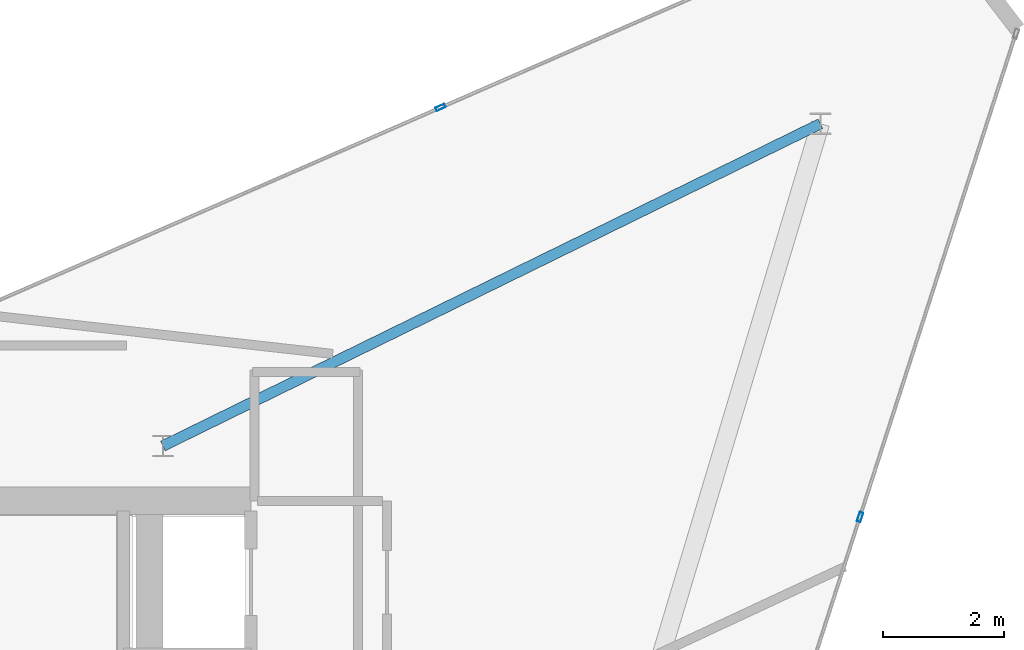
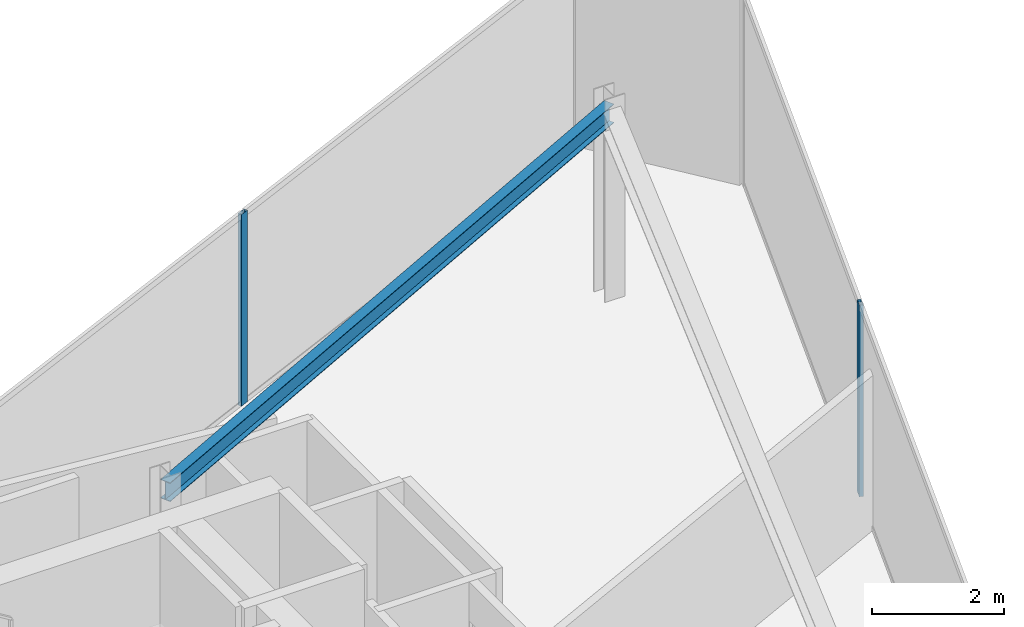
# One storey, part 11 of 15: 2 members, 1 beam, 2 elements without a shape of their own.
"""IFC4 building model written with IfcOpenShell, lengths in metres."""

import ifcopenshell
import ifcopenshell.guid

model = None  # the IFC model being written
_history = None  # IfcOwnerHistory: only IFC2X3 demands one
_inside = {}  # id of a spatial element -> (the spatial element, [elements in it])
_under = {}  # id of a project, library or spatial element -> (it, [spatial elements below it])
_declared = {}  # id of a project -> (the project, [libraries it declares])
_typed = {}  # id of a type object -> (the type object, [elements of that type])
_made_of = {}  # id of a material, layer set ... -> (it, [elements and type objects made of it])


def new_model(schema):
    """Start an empty IFC model of exactly this schema.

    Asked for "IFC4X3", IfcOpenShell would pick the latest addendum, in which some entities
    have other attributes; the version numbers below select the first issue.
    IFC2X3 requires an IfcOwnerHistory on every rooted entity: one is made here for all.
    """
    global model, _history
    if schema == "IFC4X3":
        model = ifcopenshell.file(schema_version=(4, 3, 0, 0))
    else:
        model = ifcopenshell.file(schema=schema)
    _inside.clear()
    _under.clear()
    _declared.clear()
    _typed.clear()
    _made_of.clear()
    _history = None
    if model.schema == "IFC2X3":
        org = make("IfcOrganization", Name="unknown")
        user = make(
            "IfcPersonAndOrganization",
            ThePerson=make("IfcPerson", FamilyName="unknown"),
            TheOrganization=org,
        )
        app = make(
            "IfcApplication",
            ApplicationDeveloper=org,
            Version="unknown",
            ApplicationFullName="unknown",
            ApplicationIdentifier="unknown",
        )
        _history = make(
            "IfcOwnerHistory",
            OwningUser=user,
            OwningApplication=app,
            ChangeAction="ADDED",
            CreationDate=0,
        )
    return model


def make(cls, **values):
    """One entity of the class cls with the attributes given. An attribute that is None is left unset."""
    return model.create_entity(
        cls, **{name: value for name, value in values.items() if value is not None}
    )


def rooted(cls, **values):
    """An entity with a GlobalId (a new one), such as an element, a storey or a relation."""
    return make(cls, GlobalId=ifcopenshell.guid.new(), OwnerHistory=_history, **values)


def si_unit(unit_type, name, prefix=None):
    """IfcSIUnit, for example si_unit("LENGTHUNIT", "METRE", prefix="MILLI")."""
    return make("IfcSIUnit", UnitType=unit_type, Prefix=prefix, Name=name)


def assignment(units):
    """IfcUnitAssignment: the units of a project."""
    return None if units is None else make("IfcUnitAssignment", Units=units)


def point(xyz):
    """IfcCartesianPoint."""
    return None if xyz is None else make("IfcCartesianPoint", Coordinates=xyz)


def direction(xyz):
    """IfcDirection."""
    return None if xyz is None else make("IfcDirection", DirectionRatios=xyz)


def frame(location, z_axis=None, x_axis=None):
    """IfcAxis2Placement3D, a coordinate frame: its origin and axes. An axis left out is left unset."""
    return make(
        "IfcAxis2Placement3D",
        Location=point(location),
        Axis=direction(z_axis),
        RefDirection=direction(x_axis),
    )


def frame_2d(location, x_axis=None):
    """IfcAxis2Placement2D, a coordinate frame in the plane: its origin and x axis."""
    return make(
        "IfcAxis2Placement2D", Location=point(location), RefDirection=direction(x_axis)
    )


def origin():
    """The frame at (0, 0, 0) with its axes left unset."""
    return frame((0.0, 0.0, 0.0))


def origin_2d():
    """The frame at (0, 0) in the plane with its x axis left unset."""
    return frame_2d((0.0, 0.0))


def place(relative_to, where):
    """IfcLocalPlacement: puts the frame where relative to a parent placement (None: the world)."""
    return make(
        "IfcLocalPlacement", PlacementRelTo=relative_to, RelativePlacement=where
    )


def context(
    kind, dimensions, precision=None, world=None, true_north=None, identifier=None
):
    """IfcGeometricRepresentationContext, for example the 3D "Model" context."""
    return make(
        "IfcGeometricRepresentationContext",
        ContextIdentifier=identifier,
        ContextType=kind,
        CoordinateSpaceDimension=dimensions,
        Precision=precision,
        WorldCoordinateSystem=world,
        TrueNorth=true_north,
    )


def subcontext(parent, identifier, kind, view, scale=None):
    """IfcGeometricRepresentationSubContext, for example "Body" below "Model"."""
    return make(
        "IfcGeometricRepresentationSubContext",
        ContextIdentifier=identifier,
        ContextType=kind,
        ParentContext=parent,
        TargetScale=scale,
        TargetView=view,
    )


def project(units=None, contexts=None):
    """IfcProject with its units and contexts."""
    return rooted(
        "IfcProject",
        Name="project",
        RepresentationContexts=contexts,
        UnitsInContext=assignment(units),
    )


def spatial(cls, under=None, at=None, **own):
    """A site, building, storey or space (cls), placed at a placement, below another one or the project."""
    s = rooted(cls, ObjectPlacement=at, **own)
    if under is not None:
        _under.setdefault(under.id(), (under, []))[1].append(s)
    return s


def profile(cls, at=None, kind="AREA", **sizes):
    """A parametric profile (cls). Its sizes go by their IFC names, for example OverallWidth=200.0."""
    return make(cls, ProfileType=kind, Position=at, **sizes)


def hollow_rectangle(**sizes):
    """IfcRectangleHollowProfileDef."""
    return profile("IfcRectangleHollowProfileDef", **sizes)


def i_section(**sizes):
    """IfcIShapeProfileDef."""
    return profile("IfcIShapeProfileDef", **sizes)


def extrude(swept, where, along, depth):
    """IfcExtrudedAreaSolid: the profile swept, set in the frame where, extruded along a direction by depth."""
    return make(
        "IfcExtrudedAreaSolid",
        SweptArea=swept,
        Position=where,
        ExtrudedDirection=direction(along),
        Depth=depth,
    )


def shape(context_of_items, identifier, shape_type, items):
    """IfcShapeRepresentation: the items that make up one representation, for example the "Body"."""
    return make(
        "IfcShapeRepresentation",
        ContextOfItems=context_of_items,
        RepresentationIdentifier=identifier,
        RepresentationType=shape_type,
        Items=items,
    )


def material(Name=None, Category=None):
    """IfcMaterial."""
    return make("IfcMaterial", Name=Name, Category=Category)


def layer(
    of_material, thickness, ventilated=None, Name=None, Category=None, Priority=None
):
    """IfcMaterialLayer: one layer of a wall or slab, of a material (None: an air gap)."""
    return make(
        "IfcMaterialLayer",
        Material=of_material,
        LayerThickness=thickness,
        IsVentilated=ventilated,
        Name=Name,
        Category=Category,
        Priority=Priority,
    )


def layer_set(layers, Name=None):
    """IfcMaterialLayerSet."""
    return make("IfcMaterialLayerSet", MaterialLayers=layers, LayerSetName=Name)


def material_profile(
    of_material, cross_section, Name=None, Category=None, Priority=None
):
    """IfcMaterialProfile: a cross section and its material."""
    return make(
        "IfcMaterialProfile",
        Name=Name,
        Material=of_material,
        Profile=cross_section,
        Priority=Priority,
        Category=Category,
    )


def profile_set(profiles, Name=None, composite=None):
    """IfcMaterialProfileSet."""
    return make(
        "IfcMaterialProfileSet",
        Name=Name,
        MaterialProfiles=profiles,
        CompositeProfile=composite,
    )


def made_of(thing, what):
    """Note that an element or type object is made of a material, layer set ...; save() writes the relation."""
    if what is not None:
        _made_of.setdefault(what.id(), (what, []))[1].append(thing)
    return thing


def type_object(cls, material=None, **own):
    """A type object (cls), such as IfcWallType, which elements share."""
    return made_of(rooted(cls, **own), material)


def element(
    cls,
    number,
    at=None,
    inside=None,
    cuts=None,
    type_object=None,
    material=None,
    context=None,
    identifier="Body",
    shape_type=None,
    held_by="IfcProductDefinitionShape",
    body=None,
    shapes=None,
    **own,
):
    """One element of the class cls, such as IfcWall. Its Tag is "e" and its number.

    at: its placement. inside: the storey or other place that contains it. cuts: it is an
    opening in that element (IfcRelVoidsElement). A single representation is given by context,
    identifier, shape_type and body (its items); several are given by shapes. held_by: the class
    of the entity that holds the representations. save() writes the other relations.
    """
    e = rooted(cls, Tag="e%d" % number, ObjectPlacement=at, **own)
    if body is not None:
        shapes = [shape(context, identifier, shape_type, body)]
    if shapes is not None:
        e.Representation = make(held_by, Representations=shapes)
    if inside is not None:
        _inside.setdefault(inside.id(), (inside, []))[1].append(e)
    if cuts is not None:
        rooted(
            "IfcRelVoidsElement", RelatingBuildingElement=cuts, RelatedOpeningElement=e
        )
    if type_object is not None:
        _typed.setdefault(type_object.id(), (type_object, []))[1].append(e)
    return made_of(e, material)


def aggregate(whole, parts):
    """IfcRelAggregates: a whole, such as a stair, and the parts it consists of."""
    return rooted("IfcRelAggregates", RelatingObject=whole, RelatedObjects=parts)


def save(model, path):
    """Write the relations noted so far, then the file.

    IfcRelAggregates (storeys below a building ...), IfcRelContainedInSpatialStructure (elements
    in a storey), IfcRelDefinesByType, IfcRelAssociatesMaterial and IfcRelDeclares: one each for
    every whole, place, type object, material and project.
    """
    for whole, parts in _under.values():
        aggregate(whole, parts)
    for where, things in _inside.values():
        rooted(
            "IfcRelContainedInSpatialStructure",
            RelatedElements=things,
            RelatingStructure=where,
        )
    for kind, things in _typed.values():
        rooted("IfcRelDefinesByType", RelatedObjects=things, RelatingType=kind)
    for what, things in _made_of.values():
        rooted("IfcRelAssociatesMaterial", RelatedObjects=things, RelatingMaterial=what)
    for by, libraries in _declared.values():
        rooted("IfcRelDeclares", RelatingContext=by, RelatedDefinitions=libraries)
    model.write(path)


model = new_model("IFC4")

# Units and contexts
model_context = context("Model", 3, precision=1e-05, world=origin(), true_north=direction((0.0, 1.0)))
body_context = subcontext(model_context, "Body", "Model", "MODEL_VIEW")
ifc_project = project(units=[si_unit("LENGTHUNIT", "METRE"), si_unit("AREAUNIT", "SQUARE_METRE"), si_unit("VOLUMEUNIT", "CUBIC_METRE"), si_unit("PLANEANGLEUNIT", "RADIAN"), si_unit("MASSUNIT", "GRAM", prefix="KILO")], contexts=[model_context])

# Site, building, storey
site_placement = place(None, origin())
site = spatial("IfcSite", under=ifc_project, at=site_placement, CompositionType="ELEMENT")
building_placement = place(site_placement, origin())
building = spatial("IfcBuilding", under=site, at=building_placement, Name="Qianvela Tower", CompositionType="ELEMENT")
storey_placement = place(building_placement, frame((0.0, 0.0, 360.050048828125)))
storey = spatial("IfcBuildingStorey", under=building, at=storey_placement, Name="L93", CompositionType="ELEMENT", Elevation=360.050048828125)

# Beam
ifc_material_1 = material(Name="Steel Q355B", Category="steel")
ifc_material_profile_1 = material_profile(ifc_material_1, i_section(OverallWidth=0.175048828125, OverallDepth=0.35009765625, WebThickness=0.007080078125, FlangeThickness=0.010986328125, at=origin_2d()), Name="HN350x175x7x11")
ifc_profile_set_1 = profile_set([ifc_material_profile_1], Name="Steel Q355B")
beam_type = type_object("IfcBeamType", Name="BM-HN350-JOIST", PredefinedType="JOIST", material=ifc_profile_set_1)
beam_placement = place(storey_placement, frame((38.39990234375, 33.550048828125, 3.373046875), z_axis=(0.897947657455, 0.440102265924, 0.0), x_axis=(-0.440102265924, 0.897947657455, 0.0)))
element("IfcBeam", 1, at=beam_placement, inside=storey, type_object=beam_type, Name="L93 Crown Radial Floor Girder 1", PredefinedType="JOIST", context=body_context, shape_type="SweptSolid", body=[
    extrude(i_section(OverallWidth=0.175048828125, OverallDepth=0.35009765625, WebThickness=0.007080078125, FlangeThickness=0.010986328125, at=origin_2d()), origin(), (0.0, 0.0, 1.0), 12.0810546875),
])

# Curtain wall, member
ifc_material_2 = material(Name="Anodised Architectural Aluminium and Low-E Glass", Category="aluminium")
ifc_layer = layer(ifc_material_2, 0.159912109375)
ifc_layer_set = layer_set([ifc_layer], Name="Anodised Architectural Aluminium and Low-E Glass")
curtain_wall_type = type_object("IfcCurtainWallType", Name="CW-CROWN", PredefinedType="USERDEFINED", material=ifc_layer_set)
curtain_wall_1_placement = place(storey_placement, origin())
curtain_wall_1 = element("IfcCurtainWall", 2, at=curtain_wall_1_placement, inside=storey, type_object=curtain_wall_type, Name="L93 CW-CROWN Curtain Wall 02", ObjectType="CURTAIN_WALL_SYSTEM", PredefinedType="USERDEFINED")
ifc_material_3 = material(Name="Anodised Architectural Aluminium 6063-T6", Category="aluminium")
ifc_material_profile_2 = material_profile(ifc_material_3, hollow_rectangle(XDim=0.06494140625, YDim=0.159912109375, WallThickness=0.0048828125, at=origin_2d()), Name="ALU-MULL-65x160")
ifc_profile_set_2 = profile_set([ifc_material_profile_2], Name="Anodised Architectural Aluminium 6063-T6")
member_type = type_object("IfcMemberType", Name="CW-CROWN-MULL", PredefinedType="MULLION", material=ifc_profile_set_2)
member_1_placement = place(storey_placement, frame((42.98046875, 39.1357421875, 0.0), z_axis=(0.0, 0.0, 1.0), x_axis=(0.399914599103, -0.916552406262, 0.0)))
member_1 = element("IfcMember", 3, at=member_1_placement, type_object=member_type, Name="CW-8 mullion 2", PredefinedType="MULLION", context=body_context, shape_type="SweptSolid", body=[
    extrude(hollow_rectangle(XDim=0.06494140625, YDim=0.159912109375, WallThickness=0.0048828125, at=origin_2d()), origin(), (0.0, 0.0, 1.0), 3.550048828125),
])
aggregate(curtain_wall_1, [member_1])

curtain_wall_2_placement = place(storey_placement, origin())
curtain_wall_2 = element("IfcCurtainWall", 4, at=curtain_wall_2_placement, inside=storey, type_object=curtain_wall_type, Name="L93 CW-CROWN Curtain Wall 06", ObjectType="CURTAIN_WALL_SYSTEM", PredefinedType="USERDEFINED")
member_2_placement = place(storey_placement, frame((49.90234375, 32.377685546875, 0.0), z_axis=(0.0, 0.0, 1.0), x_axis=(-0.951691135027, 0.307056971117, 0.0)))
member_2 = element("IfcMember", 5, at=member_2_placement, type_object=member_type, Name="CW-8 mullion 4", PredefinedType="MULLION", context=body_context, shape_type="SweptSolid", body=[
    extrude(hollow_rectangle(XDim=0.06494140625, YDim=0.159912109375, WallThickness=0.0048828125, at=origin_2d()), origin(), (0.0, 0.0, 1.0), 3.550048828125),
])
aggregate(curtain_wall_2, [member_2])

save(model, "model.ifc")
